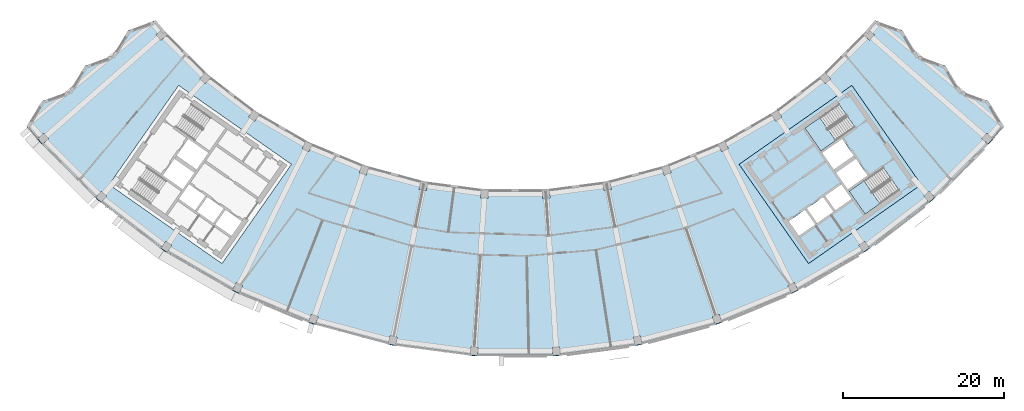
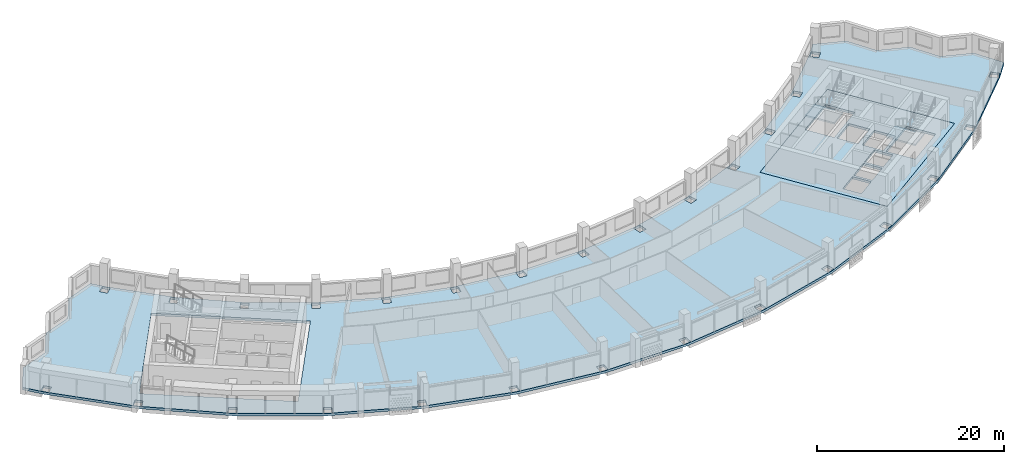
# One storey, part 2 of 28: 4 slabs, 2 elements without a shape of their own.
"""IFC4 building model written with IfcOpenShell, lengths in metres."""

from ifc_helpers import new_model, si_unit, direction, frame, origin, place, context, subcontext, project, spatial, polyline, outline, extrude, material, layer, layer_set, type_object, element, aggregate, save


model = new_model("IFC4")

# Units and contexts
model_context = context("Model", 3, precision=1e-05, world=origin(), true_north=direction((0.0, 1.0)))
body_context = subcontext(model_context, "Body", "Model", "MODEL_VIEW")
ifc_project = project(units=[si_unit("LENGTHUNIT", "METRE"), si_unit("AREAUNIT", "SQUARE_METRE"), si_unit("VOLUMEUNIT", "CUBIC_METRE"), si_unit("PLANEANGLEUNIT", "RADIAN"), si_unit("MASSUNIT", "GRAM", prefix="KILO")], contexts=[model_context])

# Site, building, storey
site_placement = place(None, origin())
site = spatial("IfcSite", under=ifc_project, at=site_placement, CompositionType="ELEMENT")
building_placement = place(site_placement, origin())
building = spatial("IfcBuilding", under=site, at=building_placement, Name="Qamariyya Broadcast Tower", CompositionType="ELEMENT")
storey_placement = place(building_placement, frame((0.0, 0.0, 277.10009765625)))
storey = spatial("IfcBuildingStorey", under=building, at=storey_placement, Name="L67", CompositionType="ELEMENT", Elevation=277.10009765625)

# Slabs
ifc_material_1 = material(Name="Concrete C40/50", Category="concrete")
ifc_layer_1 = layer(ifc_material_1, 0.300048828125)
ifc_layer_set_1 = layer_set([ifc_layer_1], Name="Core floor slab 300 mm Concrete C40/50")
slab_type_1 = type_object("IfcSlabType", Name="Core floor slab 300 mm Concrete C40/50", PredefinedType="FLOOR", material=ifc_layer_set_1)
slab_1_placement = place(storey_placement, frame((0.0, 0.0, -0.300048828125)))
element("IfcSlab", 1, at=slab_1_placement, inside=storey, type_object=slab_type_1, Name="k-E-L67-slab", PredefinedType="FLOOR", context=body_context, shape_type="SweptSolid", body=[
    extrude(outline(polyline([(36.32373046875, -66.734375), (50.286376953125, -56.95751953125), (41.6826171875, -44.67041015625), (27.719970703125, -54.447021484375), (36.32373046875, -66.734375)]), holes=[polyline([(33.87353515625, -61.49169921875), (35.88037109375, -60.08642578125), (37.142333984375, -61.888427734375), (35.13525390625, -63.293701171875), (33.87353515625, -61.49169921875)]), polyline([(36.126220703125, -59.914306640625), (38.133056640625, -58.509033203125), (39.394775390625, -60.311279296875), (37.387939453125, -61.716552734375), (36.126220703125, -59.914306640625)]), polyline([(38.378662109375, -58.3369140625), (40.3857421875, -56.931640625), (41.6474609375, -58.73388671875), (39.640625, -60.13916015625), (38.378662109375, -58.3369140625)]), polyline([(39.742431640625, -55.489990234375), (42.199951171875, -53.769287109375), (43.6337890625, -55.817138671875), (41.17626953125, -57.537841796875), (39.742431640625, -55.489990234375)]), polyline([(39.45556640625, -55.080322265625), (41.9130859375, -53.359619140625), (40.47900390625, -51.311767578125), (38.021728515625, -53.032470703125), (39.45556640625, -55.080322265625)]), polyline([(40.082275390625, -47.01171875), (35.870849609375, -49.960693359375), (37.849609375, -52.78662109375), (42.06103515625, -49.837890625), (40.082275390625, -47.01171875)]), polyline([(45.559814453125, -54.834716796875), (41.348388671875, -57.783447265625), (43.3271484375, -60.609619140625), (47.538818359375, -57.66064453125), (45.559814453125, -54.834716796875)])]), origin(), (0.0, 0.0, 1.0), 0.300048828125),
])
ifc_layer_2 = layer(ifc_material_1, 0.300048828125)
ifc_layer_set_2 = layer_set([ifc_layer_2], Name="Post-tensioned floor slab 300 C40/50")
slab_type_2 = type_object("IfcSlabType", Name="Post-tensioned floor slab 300 C40/50", PredefinedType="FLOOR", material=ifc_layer_set_2)
slab_2_placement = place(storey_placement, frame((0.0, 0.0, -0.300048828125)))
element("IfcSlab", 2, at=slab_2_placement, inside=storey, type_object=slab_type_2, Name="Floor slab S4 L67", PredefinedType="FLOOR", context=body_context, shape_type="SweptSolid", body=[
    extrude(outline(polyline([(-58.6171875, -46.62646484375), (-60.528076171875, -49.750244140625), (-58.90673828125, -51.65966796875), (-51.65966796875, -58.90673828125), (-43.52880859375, -65.145751953125), (-34.6533203125, -70.27001953125), (-25.184814453125, -74.19189453125), (-15.285400390625, -76.844482421875), (-5.124267578125, -78.18212890625), (5.124267578125, -78.18212890625), (15.285400390625, -76.844482421875), (25.184814453125, -74.19189453125), (34.6533203125, -70.27001953125), (43.52880859375, -65.145751953125), (51.65966796875, -58.90673828125), (58.90673828125, -51.65966796875), (60.528076171875, -49.750244140625), (58.6171875, -46.62646484375), (55.197509765625, -45.368896484375), (53.2861328125, -42.24462890625), (49.866943359375, -40.987548828125), (47.95458984375, -37.862548828125), (44.53662109375, -36.606201171875), (43.343505859375, -38.01123046875), (38.01123046875, -43.343505859375), (32.028564453125, -47.934326171875), (25.498046875, -51.704833984375), (18.531005859375, -54.590576171875), (11.2470703125, -56.542236328125), (3.7705078125, -57.526611328125), (-3.7705078125, -57.526611328125), (-11.2470703125, -56.542236328125), (-18.531005859375, -54.590576171875), (-25.498046875, -51.704833984375), (-32.028564453125, -47.934326171875), (-38.01123046875, -43.343505859375), (-43.343505859375, -38.01123046875), (-44.53662109375, -36.606201171875), (-47.95458984375, -37.862548828125), (-49.866943359375, -40.987548828125), (-53.2861328125, -42.24462890625), (-55.197509765625, -45.368896484375), (-58.6171875, -46.62646484375)]), holes=[polyline([(-4.668701171875, -78.11181640625), (-5.56689453125, -78.052978515625), (-5.50146484375, -77.05517578125), (-4.603271484375, -77.114013671875), (-4.668701171875, -78.11181640625)]), polyline([(-15.707275390625, -76.65869140625), (-15.511962890625, -75.677978515625), (-14.62939453125, -75.853515625), (-14.824462890625, -76.834228515625), (-15.707275390625, -76.65869140625)]), polyline([(-25.578857421875, -73.95263671875), (-25.25732421875, -73.005615234375), (-24.405029296875, -73.294921875), (-24.7265625, -74.241943359375), (-25.578857421875, -73.95263671875)]), polyline([(-35.0126953125, -69.981201171875), (-34.5703125, -69.08447265625), (-33.76318359375, -69.482421875), (-34.20556640625, -70.37939453125), (-35.0126953125, -69.981201171875)]), polyline([(-43.847412109375, -64.8125), (-43.2919921875, -63.98095703125), (-42.543701171875, -64.48095703125), (-43.09912109375, -65.3125), (-43.847412109375, -64.8125)]), polyline([(-51.93212890625, -58.53466796875), (-51.272705078125, -57.782958984375), (-50.59619140625, -58.376220703125), (-51.25537109375, -59.128173828125), (-51.93212890625, -58.53466796875)]), polyline([(-4.29150390625, -58.5947265625), (-4.22607421875, -57.596923828125), (-3.327880859375, -57.65576171875), (-3.393310546875, -58.653564453125), (-4.29150390625, -58.5947265625)]), polyline([(-11.90283203125, -57.533447265625), (-11.707763671875, -56.552490234375), (-10.8251953125, -56.72802734375), (-11.020263671875, -57.708984375), (-11.90283203125, -57.533447265625)]), polyline([(-50.286376953125, -56.95751953125), (-41.6826171875, -44.67041015625), (-27.719970703125, -54.447021484375), (-36.32373046875, -66.734375), (-50.286376953125, -56.95751953125)]), polyline([(-19.310791015625, -55.487548828125), (-18.9892578125, -54.54052734375), (-18.136962890625, -54.829833984375), (-18.45849609375, -55.77685546875), (-19.310791015625, -55.487548828125)]), polyline([(-26.387939453125, -52.4921875), (-25.94580078125, -51.595458984375), (-25.138671875, -51.993408203125), (-25.580810546875, -52.890380859375), (-26.387939453125, -52.4921875)]), polyline([(-59.128173828125, -51.25537109375), (-58.376220703125, -50.59619140625), (-57.782958984375, -51.272705078125), (-58.53466796875, -51.93212890625), (-59.128173828125, -51.25537109375)]), polyline([(-33.013916015625, -48.598876953125), (-32.458251953125, -47.767333984375), (-31.7099609375, -48.267333984375), (-32.265625, -49.098876953125), (-33.013916015625, -48.598876953125)]), polyline([(-39.074951171875, -43.873779296875), (-38.41552734375, -43.1220703125), (-37.739013671875, -43.71533203125), (-38.398193359375, -44.46728515625), (-39.074951171875, -43.873779296875)]), polyline([(-44.46728515625, -38.398193359375), (-43.71533203125, -37.739013671875), (-43.1220703125, -38.41552734375), (-43.873779296875, -39.074951171875), (-44.46728515625, -38.398193359375)]), polyline([(5.56689453125, -78.052978515625), (4.668701171875, -78.11181640625), (4.603271484375, -77.114013671875), (5.50146484375, -77.05517578125), (5.56689453125, -78.052978515625)]), polyline([(14.824462890625, -76.834228515625), (14.62939453125, -75.853515625), (15.511962890625, -75.677978515625), (15.707275390625, -76.65869140625), (14.824462890625, -76.834228515625)]), polyline([(24.7265625, -74.241943359375), (24.405029296875, -73.294921875), (25.25732421875, -73.005615234375), (25.578857421875, -73.95263671875), (24.7265625, -74.241943359375)]), polyline([(34.20556640625, -70.37939453125), (33.76318359375, -69.482421875), (34.5703125, -69.08447265625), (35.0126953125, -69.981201171875), (34.20556640625, -70.37939453125)]), polyline([(43.09912109375, -65.3125), (42.543701171875, -64.48095703125), (43.2919921875, -63.98095703125), (43.847412109375, -64.8125), (43.09912109375, -65.3125)]), polyline([(51.25537109375, -59.128173828125), (50.59619140625, -58.376220703125), (51.272705078125, -57.782958984375), (51.93212890625, -58.53466796875), (51.25537109375, -59.128173828125)]), polyline([(3.393310546875, -58.653564453125), (3.327880859375, -57.65576171875), (4.22607421875, -57.596923828125), (4.29150390625, -58.5947265625), (3.393310546875, -58.653564453125)]), polyline([(11.020263671875, -57.708984375), (10.8251953125, -56.72802734375), (11.707763671875, -56.552490234375), (11.90283203125, -57.533447265625), (11.020263671875, -57.708984375)]), polyline([(36.32373046875, -66.734375), (27.719970703125, -54.447021484375), (41.6826171875, -44.67041015625), (50.286376953125, -56.95751953125), (36.32373046875, -66.734375)]), polyline([(18.45849609375, -55.77685546875), (18.136962890625, -54.829833984375), (18.9892578125, -54.54052734375), (19.310791015625, -55.487548828125), (18.45849609375, -55.77685546875)]), polyline([(25.580810546875, -52.890380859375), (25.138671875, -51.993408203125), (25.94580078125, -51.595458984375), (26.387939453125, -52.4921875), (25.580810546875, -52.890380859375)]), polyline([(58.53466796875, -51.93212890625), (57.782958984375, -51.272705078125), (58.376220703125, -50.59619140625), (59.128173828125, -51.25537109375), (58.53466796875, -51.93212890625)]), polyline([(32.265625, -49.098876953125), (31.7099609375, -48.267333984375), (32.458251953125, -47.767333984375), (33.013916015625, -48.598876953125), (32.265625, -49.098876953125)]), polyline([(38.398193359375, -44.46728515625), (37.739013671875, -43.71533203125), (38.41552734375, -43.1220703125), (39.074951171875, -43.873779296875), (38.398193359375, -44.46728515625)]), polyline([(43.873779296875, -39.074951171875), (43.1220703125, -38.41552734375), (43.71533203125, -37.739013671875), (44.46728515625, -38.398193359375), (43.873779296875, -39.074951171875)])]), origin(), (0.0, 0.0, 1.0), 0.300048828125),
])

# Stair, slab
ifc_material_2 = material(Name="Concrete C50/60", Category="concrete")
stair_type = type_object("IfcStairType", Name="Exit stair 22 risers of 173 mm", PredefinedType="HALF_TURN_STAIR", material=ifc_material_2)
stair_1_placement = place(storey_placement, origin())
stair_1 = element("IfcStair", 3, at=stair_1_placement, inside=storey, type_object=stair_type, Name="L67 Stair E2", PredefinedType="HALF_TURN_STAIR")
ifc_layer_3 = layer(ifc_material_2, 0.199951171875)
ifc_layer_set_3 = layer_set([ifc_layer_3], Name="Stair landing")
slab_type_3 = type_object("IfcSlabType", Name="Stair landing", PredefinedType="LANDING", material=ifc_layer_set_3)
slab_3_placement = place(storey_placement, frame((0.0, 0.0, 1.699951171875)))
slab_3 = element("IfcSlab", 4, at=slab_3_placement, type_object=slab_type_3, Name="ST-E2 landing 1", PredefinedType="LANDING", context=body_context, shape_type="SweptSolid", body=[
    extrude(outline(polyline([(37.71337890625, -48.67041015625), (35.870849609375, -49.960693359375), (37.849609375, -52.78662109375), (39.692138671875, -51.49658203125), (37.71337890625, -48.67041015625)])), origin(), (0.0, 0.0, 1.0), 0.199951171875),
])
aggregate(stair_1, [slab_3])

stair_2_placement = place(storey_placement, origin())
stair_2 = element("IfcStair", 5, at=stair_2_placement, inside=storey, type_object=stair_type, Name="L67 Stair E1", PredefinedType="HALF_TURN_STAIR")
slab_4_placement = place(storey_placement, frame((0.0, 0.0, 1.699951171875)))
slab_4 = element("IfcSlab", 6, at=slab_4_placement, type_object=slab_type_3, Name="ST-E1 landing 1", PredefinedType="LANDING", context=body_context, shape_type="SweptSolid", body=[
    extrude(outline(polyline([(43.19091796875, -56.493408203125), (41.348388671875, -57.783447265625), (43.3271484375, -60.609619140625), (45.169677734375, -59.319580078125), (43.19091796875, -56.493408203125)])), origin(), (0.0, 0.0, 1.0), 0.199951171875),
])
aggregate(stair_2, [slab_4])

save(model, "model.ifc")
